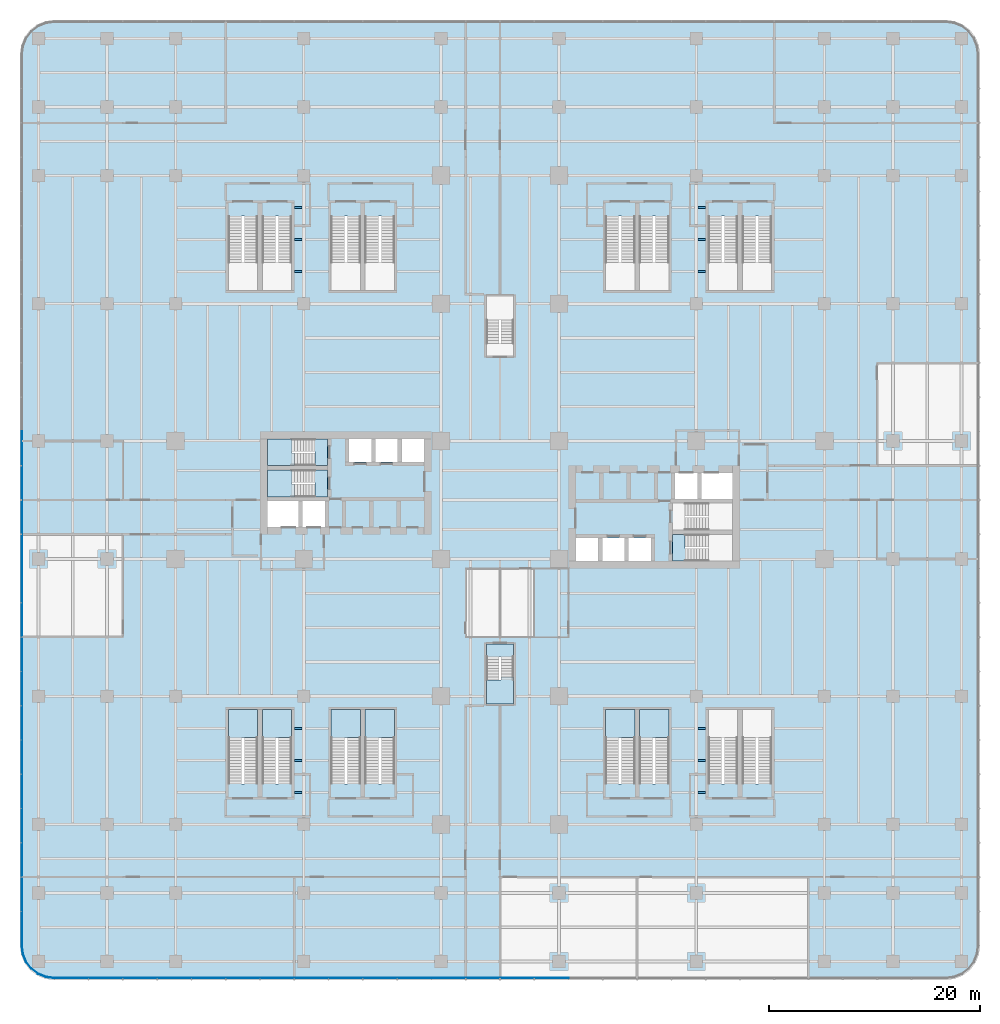
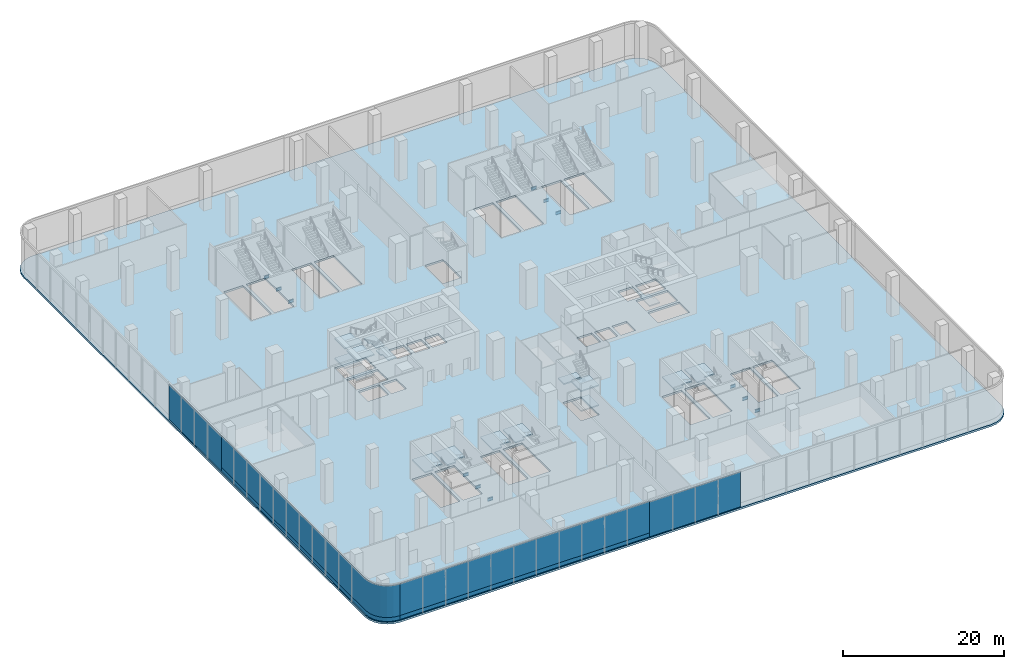
# One storey, part 31 of 41: 17 slabs, 12 beams, 6 plates, 14 elements without a shape of their own.
"""IFC4 building model written with IfcOpenShell, lengths in metres."""

from ifc_helpers import new_model, si_unit, direction, frame, origin, origin_2d, place, context, subcontext, project, spatial, polyline, i_section, outline, extrude, source, transform, mapped, material, layer, layer_set, material_profile, profile_set, type_object, element, aggregate, save


model = new_model("IFC4")

# Units and contexts
model_context = context("Model", 3, precision=1e-05, world=origin(), true_north=direction((0.0, 1.0)))
body_context = subcontext(model_context, "Body", "Model", "MODEL_VIEW")
ifc_project = project(units=[si_unit("LENGTHUNIT", "METRE"), si_unit("AREAUNIT", "SQUARE_METRE"), si_unit("VOLUMEUNIT", "CUBIC_METRE"), si_unit("PLANEANGLEUNIT", "RADIAN"), si_unit("MASSUNIT", "GRAM", prefix="KILO")], contexts=[model_context])

# Site, building, storey
site_placement = place(None, origin())
site = spatial("IfcSite", under=ifc_project, at=site_placement, CompositionType="ELEMENT")
building_placement = place(site_placement, origin())
building = spatial("IfcBuilding", under=site, at=building_placement, Name="Trellis Farm Tower", CompositionType="ELEMENT")
storey_placement = place(building_placement, frame((0.0, 0.0, 8.0)))
storey = spatial("IfcBuildingStorey", under=building, at=storey_placement, Name="L01", CompositionType="ELEMENT", Elevation=8.0)

# Beams
ifc_material_1 = material(Name="Steel S355", Category="steel")
ifc_material_profile = material_profile(ifc_material_1, i_section(OverallWidth=0.1904296875, OverallDepth=0.45703125, WebThickness=0.009033203125, FlangeThickness=0.014404296875, FilletRadius=0.01025390625, at=origin_2d()), Name="UB 457x191x74")
ifc_profile_set = profile_set([ifc_material_profile], Name="Steel S355")
beam_type = type_object("IfcBeamType", Name="UB 457x191x74 joist", PredefinedType="JOIST", material=ifc_profile_set)
shared_shape_1 = source(origin(), body_context, "Body", "SweptSolid", [
    extrude(i_section(OverallWidth=0.1904296875, OverallDepth=0.45703125, WebThickness=0.009033203125, FlangeThickness=0.014404296875, FilletRadius=0.01025390625, at=origin_2d()), origin(), (0.0, 0.0, 1.0), 0.75390625),
])
for number, where, z_axis, x_axis, name in (
    (1, (-19.5, -27.71240234375, -0.528564453125), (1.0, 0.0, 0.0), (0.0, 1.0, 0.0), "Floor beam"),
    (2, (18.74609375, -27.71240234375, -0.528564453125), (1.0, 0.0, 0.0), (0.0, 1.0, 0.0), "Floor beam"),
    (3, (-19.5, -24.675048828125, -0.528564453125), (1.0, 0.0, 0.0), (0.0, 1.0, 0.0), "Floor beam"),
    (4, (18.74609375, -24.675048828125, -0.528564453125), (1.0, 0.0, 0.0), (0.0, 1.0, 0.0), "Floor beam"),
    (5, (-19.5, -21.637451171875, -0.528564453125), (1.0, 0.0, 0.0), (0.0, 1.0, 0.0), "Floor beam"),
    (6, (18.74609375, -21.637451171875, -0.528564453125), (1.0, 0.0, 0.0), (0.0, 1.0, 0.0), "Floor beam"),
    (7, (-19.5, 21.637451171875, -0.528564453125), (1.0, 0.0, 0.0), (0.0, 1.0, 0.0), "Floor beam"),
    (8, (18.74609375, 21.637451171875, -0.528564453125), (1.0, 0.0, 0.0), (0.0, 1.0, 0.0), "Floor beam"),
    (9, (-19.5, 24.675048828125, -0.528564453125), (1.0, 0.0, 0.0), (0.0, 1.0, 0.0), "Floor beam"),
    (10, (18.74609375, 24.675048828125, -0.528564453125), (1.0, 0.0, 0.0), (0.0, 1.0, 0.0), "Floor beam"),
    (11, (-19.5, 27.71240234375, -0.528564453125), (1.0, 0.0, 0.0), (0.0, 1.0, 0.0), "Floor beam"),
    (12, (18.74609375, 27.71240234375, -0.528564453125), (1.0, 0.0, 0.0), (0.0, 1.0, 0.0), "Floor beam"),
):
    element("IfcBeam", number, at=place(storey_placement, frame(where, z_axis=z_axis, x_axis=x_axis)), inside=storey, type_object=beam_type, Name=name, PredefinedType="JOIST", context=body_context, shape_type="MappedRepresentation", body=[
        mapped(shared_shape_1, transform((0.0, 0.0, 0.0))),
    ])

# Stair, slab
ifc_material_2 = material(Name="Concrete C50/60", Category="concrete")
stair_type_1 = type_object("IfcStairType", Name="PODIUM EXIT STAIR 34 RISERS 176 MM 1250 WIDE", PredefinedType="HALF_TURN_STAIR", material=ifc_material_2)
placement_1 = place(storey_placement, origin())
stair_1 = element("IfcStair", 13, at=placement_1, inside=storey, type_object=stair_type_1, Name="Podium exit stair STP5A", PredefinedType="HALF_TURN_STAIR")
ifc_layer_1 = layer(ifc_material_2, 0.18994140625)
ifc_layer_set_1 = layer_set([ifc_layer_1], Name="CORE STAIR LANDING 190 CONCRETE C50/60")
slab_type_1 = type_object("IfcSlabType", Name="CORE STAIR LANDING 190 CONCRETE C50/60", PredefinedType="LANDING", material=ifc_layer_set_1)
placement_2 = place(storey_placement, frame((0.0, 0.0, 2.81005859375)))
slab_1 = element("IfcSlab", 14, at=placement_2, type_object=slab_type_1, Name="STP5A landing 1", PredefinedType="LANDING", context=body_context, shape_type="SweptSolid", body=[
    extrude(outline(polyline([(-24.5, -23.034423828125), (-25.75, -23.034423828125), (-25.75, -22.5), (-25.75, -19.85009765625), (-22.969970703125, -19.85009765625), (-22.969970703125, -22.5), (-22.969970703125, -22.510009765625), (-24.219970703125, -22.510009765625), (-24.219970703125, -22.5), (-24.5, -22.5), (-24.5, -23.034423828125)])), origin(), (0.0, 0.0, 1.0), 0.18994140625),
])
aggregate(stair_1, [slab_1])

stair_2 = element("IfcStair", 15, at=placement_1, inside=storey, type_object=stair_type_1, Name="Podium exit stair STP5B", PredefinedType="HALF_TURN_STAIR")
slab_2 = element("IfcSlab", 16, at=placement_2, type_object=slab_type_1, Name="STP5B landing 1", PredefinedType="LANDING", context=body_context, shape_type="SweptSolid", body=[
    extrude(outline(polyline([(-21.280029296875, -23.034423828125), (-22.530029296875, -23.034423828125), (-22.530029296875, -22.5), (-22.530029296875, -19.85009765625), (-19.75, -19.85009765625), (-19.75, -22.5), (-19.75, -22.510009765625), (-21.0, -22.510009765625), (-21.0, -22.5), (-21.280029296875, -22.5), (-21.280029296875, -23.034423828125)])), origin(), (0.0, 0.0, 1.0), 0.18994140625),
])
aggregate(stair_2, [slab_2])

stair_3 = element("IfcStair", 17, at=placement_1, inside=storey, type_object=stair_type_1, Name="Podium exit stair STP6A", PredefinedType="HALF_TURN_STAIR")
slab_3 = element("IfcSlab", 18, at=placement_2, type_object=slab_type_1, Name="STP6A landing 1", PredefinedType="LANDING", context=body_context, shape_type="SweptSolid", body=[
    extrude(outline(polyline([(-14.75, -23.034423828125), (-16.0, -23.034423828125), (-16.0, -22.5), (-16.0, -19.85009765625), (-13.219970703125, -19.85009765625), (-13.219970703125, -22.5), (-13.219970703125, -22.510009765625), (-14.469970703125, -22.510009765625), (-14.469970703125, -22.5), (-14.75, -22.5), (-14.75, -23.034423828125)])), origin(), (0.0, 0.0, 1.0), 0.18994140625),
])
aggregate(stair_3, [slab_3])

stair_4 = element("IfcStair", 19, at=placement_1, inside=storey, type_object=stair_type_1, Name="Podium exit stair STP6B", PredefinedType="HALF_TURN_STAIR")
slab_4 = element("IfcSlab", 20, at=placement_2, type_object=slab_type_1, Name="STP6B landing 1", PredefinedType="LANDING", context=body_context, shape_type="SweptSolid", body=[
    extrude(outline(polyline([(-11.530029296875, -23.034423828125), (-12.780029296875, -23.034423828125), (-12.780029296875, -22.5), (-12.780029296875, -19.85009765625), (-10.0, -19.85009765625), (-10.0, -22.5), (-10.0, -22.510009765625), (-11.25, -22.510009765625), (-11.25, -22.5), (-11.530029296875, -22.5), (-11.530029296875, -23.034423828125)])), origin(), (0.0, 0.0, 1.0), 0.18994140625),
])
aggregate(stair_4, [slab_4])

stair_5 = element("IfcStair", 21, at=placement_1, inside=storey, type_object=stair_type_1, Name="Podium exit stair STP7A", PredefinedType="HALF_TURN_STAIR")
slab_5 = element("IfcSlab", 22, at=placement_2, type_object=slab_type_1, Name="STP7A landing 1", PredefinedType="LANDING", context=body_context, shape_type="SweptSolid", body=[
    extrude(outline(polyline([(11.25, -23.034423828125), (10.0, -23.034423828125), (10.0, -22.5), (10.0, -19.85009765625), (12.780029296875, -19.85009765625), (12.780029296875, -22.5), (12.780029296875, -22.510009765625), (11.530029296875, -22.510009765625), (11.530029296875, -22.5), (11.25, -22.5), (11.25, -23.034423828125)])), origin(), (0.0, 0.0, 1.0), 0.18994140625),
])
aggregate(stair_5, [slab_5])

stair_6 = element("IfcStair", 23, at=placement_1, inside=storey, type_object=stair_type_1, Name="Podium exit stair STP7B", PredefinedType="HALF_TURN_STAIR")
slab_6 = element("IfcSlab", 24, at=placement_2, type_object=slab_type_1, Name="STP7B landing 1", PredefinedType="LANDING", context=body_context, shape_type="SweptSolid", body=[
    extrude(outline(polyline([(14.469970703125, -23.034423828125), (13.219970703125, -23.034423828125), (13.219970703125, -22.5), (13.219970703125, -19.85009765625), (16.0, -19.85009765625), (16.0, -22.5), (16.0, -22.510009765625), (14.75, -22.510009765625), (14.75, -22.5), (14.469970703125, -22.5), (14.469970703125, -23.034423828125)])), origin(), (0.0, 0.0, 1.0), 0.18994140625),
])
aggregate(stair_6, [slab_6])

# Curtain wall, plate
ifc_material_3 = material(Name="Aluminium and glass curtain wall", Category="aluminium")
ifc_layer_2 = layer(ifc_material_3, 0.201904296875)
ifc_layer_set_2 = layer_set([ifc_layer_2], Name="SHOPFRONT CURTAIN WALL CW2")
curtain_wall_type_1 = type_object("IfcCurtainWallType", Name="SHOPFRONT CURTAIN WALL CW2", PredefinedType="NOTDEFINED", material=ifc_layer_set_2)
curtain_wall_1 = element("IfcCurtainWall", 25, at=placement_1, inside=storey, type_object=curtain_wall_type_1, Name="CW2 006", PredefinedType="NOTDEFINED")
ifc_material_4 = material(Name="Clear insulated glass", Category="glass")
ifc_layer_3 = layer(ifc_material_4, 0.052001953125)
ifc_layer_set_3 = layer_set([ifc_layer_3], Name="CW2 GLASS PANEL 52")
plate_type_1 = type_object("IfcPlateType", Name="CW2 GLASS PANEL 52", PredefinedType="CURTAIN_PANEL", material=ifc_layer_set_3)
placement_3 = place(storey_placement, frame((0.0, 0.0, 0.60009765625)))
plate_1 = element("IfcPlate", 26, at=placement_3, type_object=plate_type_1, Name="PL2 006", PredefinedType="CURTAIN_PANEL", context=body_context, shape_type="SweptSolid", body=[
    extrude(outline(polyline([(-45.35009765625, -6.5), (-45.35009765625, -42.240234375), (-45.2431640625, -43.052001953125), (-44.93359375, -43.79931640625), (-44.441162109375, -44.441162109375), (-43.79931640625, -44.93359375), (-43.052001953125, -45.2431640625), (-42.240234375, -45.35009765625), (-42.23681640625, -45.298095703125), (-43.038330078125, -45.1923828125), (-43.773193359375, -44.88818359375), (-44.404052734375, -44.404052734375), (-44.88818359375, -43.773193359375), (-45.1923828125, -43.038330078125), (-45.298095703125, -42.23681640625), (-45.298095703125, -6.5), (-45.35009765625, -6.5)])), origin(), (0.0, 0.0, 1.0), 4.7998046875),
])

curtain_wall_2 = element("IfcCurtainWall", 27, at=placement_1, inside=storey, type_object=curtain_wall_type_1, Name="CW2 007", PredefinedType="NOTDEFINED")
plate_2 = element("IfcPlate", 28, at=placement_3, type_object=plate_type_1, Name="PL2 007", PredefinedType="CURTAIN_PANEL", context=body_context, shape_type="SweptSolid", body=[
    extrude(outline(polyline([(-42.240234375, -45.35009765625), (-6.5, -45.35009765625), (-6.5, -45.298095703125), (-42.23681640625, -45.298095703125), (-42.240234375, -45.35009765625)])), origin(), (0.0, 0.0, 1.0), 4.7998046875),
])

# Plate
ifc_material_5 = material(Name="Sandstone faced insulated panel", Category="masonry")
ifc_layer_4 = layer(ifc_material_5, 0.054931640625)
ifc_layer_set_4 = layer_set([ifc_layer_4], Name="CW2 STONE SPANDREL PANEL 55")
plate_type_2 = type_object("IfcPlateType", Name="CW2 STONE SPANDREL PANEL 55", PredefinedType="CURTAIN_PANEL", material=ifc_layer_set_4)
plate_3 = element("IfcPlate", 29, at=placement_1, type_object=plate_type_2, Name="PS2 006", PredefinedType="CURTAIN_PANEL", context=body_context, shape_type="SweptSolid", body=[
    extrude(outline(polyline([(-45.35009765625, -6.5), (-45.35009765625, -42.240234375), (-45.2431640625, -43.052001953125), (-44.93359375, -43.79931640625), (-44.441162109375, -44.441162109375), (-43.79931640625, -44.93359375), (-43.052001953125, -45.2431640625), (-42.240234375, -45.35009765625), (-42.236572265625, -45.294921875), (-43.03759765625, -45.189453125), (-43.771728515625, -44.885498046875), (-44.40185546875, -44.40185546875), (-44.885498046875, -43.771728515625), (-45.189453125, -43.03759765625), (-45.294921875, -42.236572265625), (-45.294921875, -6.5), (-45.35009765625, -6.5)])), origin(), (0.0, 0.0, 1.0), 0.60009765625),
])

aggregate(curtain_wall_1, [plate_1, plate_3])

plate_4 = element("IfcPlate", 30, at=placement_1, type_object=plate_type_2, Name="PS2 007", PredefinedType="CURTAIN_PANEL", context=body_context, shape_type="SweptSolid", body=[
    extrude(outline(polyline([(-42.240234375, -45.35009765625), (-6.5, -45.35009765625), (-6.5, -45.294921875), (-42.236572265625, -45.294921875), (-42.240234375, -45.35009765625)])), origin(), (0.0, 0.0, 1.0), 0.60009765625),
])

aggregate(curtain_wall_2, [plate_2, plate_4])

# Curtain wall, plate
ifc_layer_5 = layer(ifc_material_3, 0.2099609375)
ifc_layer_set_5 = layer_set([ifc_layer_5], Name="LOBBY CURTAIN WALL CW4")
curtain_wall_type_2 = type_object("IfcCurtainWallType", Name="LOBBY CURTAIN WALL CW4", PredefinedType="NOTDEFINED", material=ifc_layer_set_5)
curtain_wall_3 = element("IfcCurtainWall", 31, at=placement_1, inside=storey, type_object=curtain_wall_type_2, Name="CW4 003", PredefinedType="NOTDEFINED")
ifc_layer_6 = layer(ifc_material_4, 0.06005859375)
ifc_layer_set_6 = layer_set([ifc_layer_6], Name="CW4 GLASS PANEL 60")
plate_type_3 = type_object("IfcPlateType", Name="CW4 GLASS PANEL 60", PredefinedType="CURTAIN_PANEL", material=ifc_layer_set_6)
plate_5 = element("IfcPlate", 32, at=placement_1, type_object=plate_type_3, Name="PL4 003", PredefinedType="CURTAIN_PANEL", context=body_context, shape_type="SweptSolid", body=[
    extrude(outline(polyline([(-45.35009765625, 6.5), (-45.35009765625, -6.5), (-45.2900390625, -6.5), (-45.2900390625, 6.5), (-45.35009765625, 6.5)])), origin(), (0.0, 0.0, 1.0), 5.300048828125),
])
aggregate(curtain_wall_3, [plate_5])

curtain_wall_4 = element("IfcCurtainWall", 33, at=placement_1, inside=storey, type_object=curtain_wall_type_2, Name="CW4 004", PredefinedType="NOTDEFINED")
plate_6 = element("IfcPlate", 34, at=placement_1, type_object=plate_type_3, Name="PL4 004", PredefinedType="CURTAIN_PANEL", context=body_context, shape_type="SweptSolid", body=[
    extrude(outline(polyline([(-6.5, -45.35009765625), (6.5, -45.35009765625), (6.5, -45.2900390625), (-6.5, -45.2900390625), (-6.5, -45.35009765625)])), origin(), (0.0, 0.0, 1.0), 5.300048828125),
])
aggregate(curtain_wall_4, [plate_6])

# Slab
ifc_material_6 = material(Name="Concrete C40/50", Category="concrete")
ifc_layer_7 = layer(ifc_material_6, 0.300048828125)
ifc_layer_set_7 = layer_set([ifc_layer_7], Name="Composite deck floor slab 300")
slab_type_2 = type_object("IfcSlabType", Name="Composite deck floor slab 300", PredefinedType="FLOOR", material=ifc_layer_set_7)
slab_7_placement = place(storey_placement, frame((0.0, 0.0, -0.300048828125)))
element("IfcSlab", 35, at=slab_7_placement, inside=storey, type_object=slab_type_2, Name="Floor slab", PredefinedType="FLOOR", context=body_context, shape_type="SweptSolid", body=[
    extrude(outline(polyline([(45.389404296875, -43.09130859375), (45.064697265625, -43.875), (44.548095703125, -44.548095703125), (43.875, -45.064697265625), (43.09130859375, -45.389404296875), (42.25, -45.5), (-42.25, -45.5), (-43.09130859375, -45.389404296875), (-43.875, -45.064697265625), (-44.548095703125, -44.548095703125), (-45.064697265625, -43.875), (-45.389404296875, -43.09130859375), (-45.5, -42.25), (-45.5, 42.25), (-45.389404296875, 43.09130859375), (-45.064697265625, 43.875), (-44.548095703125, 44.548095703125), (-43.875, 45.064697265625), (-43.09130859375, 45.389404296875), (-42.25, 45.5), (42.25, 45.5), (43.09130859375, 45.389404296875), (43.875, 45.064697265625), (44.548095703125, 44.548095703125), (45.064697265625, 43.875), (45.389404296875, 43.09130859375), (45.5, 42.25), (45.5, -42.25), (45.389404296875, -43.09130859375)]), holes=[polyline([(-24.219970703125, -26.89990234375), (-24.219970703125, -26.887939453125), (-22.969970703125, -26.887939453125), (-22.969970703125, -19.85009765625), (-25.75, -19.85009765625), (-25.75, -26.889892578125), (-24.5, -26.889892578125), (-24.5, -26.89990234375), (-24.219970703125, -26.89990234375)]), polyline([(-21.0, -26.89990234375), (-21.0, -26.887939453125), (-19.75, -26.887939453125), (-19.75, -19.85009765625), (-22.530029296875, -19.85009765625), (-22.530029296875, -26.889892578125), (-21.280029296875, -26.889892578125), (-21.280029296875, -26.89990234375), (-21.0, -26.89990234375)]), polyline([(-14.469970703125, -26.89990234375), (-14.469970703125, -26.887939453125), (-13.219970703125, -26.887939453125), (-13.219970703125, -19.85009765625), (-16.0, -19.85009765625), (-16.0, -26.889892578125), (-14.75, -26.889892578125), (-14.75, -26.89990234375), (-14.469970703125, -26.89990234375)]), polyline([(-11.25, -26.89990234375), (-11.25, -26.887939453125), (-10.0, -26.887939453125), (-10.0, -19.85009765625), (-12.780029296875, -19.85009765625), (-12.780029296875, -26.889892578125), (-11.530029296875, -26.889892578125), (-11.530029296875, -26.89990234375), (-11.25, -26.89990234375)]), polyline([(-0.10009765625, -14.85009765625), (-0.10009765625, -14.862060546875), (-1.300048828125, -14.862060546875), (-1.300048828125, -19.35009765625), (1.300048828125, -19.35009765625), (1.300048828125, -14.860107421875), (0.10009765625, -14.860107421875), (0.10009765625, -14.85009765625), (-0.10009765625, -14.85009765625)]), polyline([(-19.10009765625, -0.10009765625), (-22.050048828125, -0.10009765625), (-22.050048828125, -2.550048828125), (-19.10009765625, -2.550048828125), (-19.10009765625, -0.10009765625)]), polyline([(-16.60009765625, -0.10009765625), (-18.699951171875, -0.10009765625), (-18.699951171875, -2.550048828125), (-16.60009765625, -2.550048828125), (-16.60009765625, -0.10009765625)]), polyline([(-17.550048828125, 1.64990234375), (-17.56201171875, 1.64990234375), (-17.56201171875, 2.85009765625), (-22.050048828125, 2.85009765625), (-22.050048828125, 0.300048828125), (-17.56005859375, 0.300048828125), (-17.56005859375, 1.5), (-17.550048828125, 1.5), (-17.550048828125, 1.64990234375)]), polyline([(-17.550048828125, 4.60009765625), (-17.56201171875, 4.60009765625), (-17.56201171875, 5.800048828125), (-22.050048828125, 5.800048828125), (-22.050048828125, 3.25), (-17.56005859375, 3.25), (-17.56005859375, 4.449951171875), (-17.550048828125, 4.449951171875), (-17.550048828125, 4.60009765625)]), polyline([(-12.199951171875, 5.800048828125), (-14.300048828125, 5.800048828125), (-14.300048828125, 3.60009765625), (-12.199951171875, 3.60009765625), (-12.199951171875, 5.800048828125)]), polyline([(-9.699951171875, 5.800048828125), (-11.800048828125, 5.800048828125), (-11.800048828125, 3.60009765625), (-9.699951171875, 3.60009765625), (-9.699951171875, 5.800048828125)]), polyline([(-7.199951171875, 5.800048828125), (-9.300048828125, 5.800048828125), (-9.300048828125, 3.60009765625), (-7.199951171875, 3.60009765625), (-7.199951171875, 5.800048828125)]), polyline([(-24.5, 26.89990234375), (-24.5, 26.887939453125), (-25.75, 26.887939453125), (-25.75, 19.85009765625), (-22.969970703125, 19.85009765625), (-22.969970703125, 26.889892578125), (-24.219970703125, 26.889892578125), (-24.219970703125, 26.89990234375), (-24.5, 26.89990234375)]), polyline([(-21.280029296875, 26.89990234375), (-21.280029296875, 26.887939453125), (-22.530029296875, 26.887939453125), (-22.530029296875, 19.85009765625), (-19.75, 19.85009765625), (-19.75, 26.889892578125), (-21.0, 26.889892578125), (-21.0, 26.89990234375), (-21.280029296875, 26.89990234375)]), polyline([(-14.75, 26.89990234375), (-14.75, 26.887939453125), (-16.0, 26.887939453125), (-16.0, 19.85009765625), (-13.219970703125, 19.85009765625), (-13.219970703125, 26.889892578125), (-14.469970703125, 26.889892578125), (-14.469970703125, 26.89990234375), (-14.75, 26.89990234375)]), polyline([(-11.530029296875, 26.89990234375), (-11.530029296875, 26.887939453125), (-12.780029296875, 26.887939453125), (-12.780029296875, 19.85009765625), (-10.0, 19.85009765625), (-10.0, 26.889892578125), (-11.25, 26.889892578125), (-11.25, 26.89990234375), (-11.530029296875, 26.89990234375)]), polyline([(11.530029296875, -26.89990234375), (11.530029296875, -26.887939453125), (12.780029296875, -26.887939453125), (12.780029296875, -19.85009765625), (10.0, -19.85009765625), (10.0, -26.889892578125), (11.25, -26.889892578125), (11.25, -26.89990234375), (11.530029296875, -26.89990234375)]), polyline([(14.75, -26.89990234375), (14.75, -26.887939453125), (16.0, -26.887939453125), (16.0, -19.85009765625), (13.219970703125, -19.85009765625), (13.219970703125, -26.889892578125), (14.469970703125, -26.889892578125), (14.469970703125, -26.89990234375), (14.75, -26.89990234375)]), polyline([(21.280029296875, -26.89990234375), (21.280029296875, -26.887939453125), (22.530029296875, -26.887939453125), (22.530029296875, -19.85009765625), (19.75, -19.85009765625), (19.75, -26.889892578125), (21.0, -26.889892578125), (21.0, -26.89990234375), (21.280029296875, -26.89990234375)]), polyline([(24.5, -26.89990234375), (24.5, -26.887939453125), (25.75, -26.887939453125), (25.75, -19.85009765625), (22.969970703125, -19.85009765625), (22.969970703125, -26.889892578125), (24.219970703125, -26.889892578125), (24.219970703125, -26.89990234375), (24.5, -26.89990234375)]), polyline([(7.199951171875, -5.800048828125), (9.300048828125, -5.800048828125), (9.300048828125, -3.60009765625), (7.199951171875, -3.60009765625), (7.199951171875, -5.800048828125)]), polyline([(9.699951171875, -5.800048828125), (11.800048828125, -5.800048828125), (11.800048828125, -3.60009765625), (9.699951171875, -3.60009765625), (9.699951171875, -5.800048828125)]), polyline([(12.199951171875, -5.800048828125), (14.300048828125, -5.800048828125), (14.300048828125, -3.60009765625), (12.199951171875, -3.60009765625), (12.199951171875, -5.800048828125)]), polyline([(17.550048828125, -4.60009765625), (17.56201171875, -4.60009765625), (17.56201171875, -5.800048828125), (22.050048828125, -5.800048828125), (22.050048828125, -3.25), (17.56005859375, -3.25), (17.56005859375, -4.449951171875), (17.550048828125, -4.449951171875), (17.550048828125, -4.60009765625)]), polyline([(17.550048828125, -1.64990234375), (17.56201171875, -1.64990234375), (17.56201171875, -2.85009765625), (22.050048828125, -2.85009765625), (22.050048828125, -0.300048828125), (17.56005859375, -0.300048828125), (17.56005859375, -1.5), (17.550048828125, -1.5), (17.550048828125, -1.64990234375)]), polyline([(16.60009765625, 0.10009765625), (18.699951171875, 0.10009765625), (18.699951171875, 2.550048828125), (16.60009765625, 2.550048828125), (16.60009765625, 0.10009765625)]), polyline([(19.10009765625, 0.10009765625), (22.050048828125, 0.10009765625), (22.050048828125, 2.550048828125), (19.10009765625, 2.550048828125), (19.10009765625, 0.10009765625)]), polyline([(0.10009765625, 14.85009765625), (0.10009765625, 14.862060546875), (1.300048828125, 14.862060546875), (1.300048828125, 19.35009765625), (-1.300048828125, 19.35009765625), (-1.300048828125, 14.860107421875), (-0.10009765625, 14.860107421875), (-0.10009765625, 14.85009765625), (0.10009765625, 14.85009765625)]), polyline([(11.25, 26.89990234375), (11.25, 26.887939453125), (10.0, 26.887939453125), (10.0, 19.85009765625), (12.780029296875, 19.85009765625), (12.780029296875, 26.889892578125), (11.530029296875, 26.889892578125), (11.530029296875, 26.89990234375), (11.25, 26.89990234375)]), polyline([(14.469970703125, 26.89990234375), (14.469970703125, 26.887939453125), (13.219970703125, 26.887939453125), (13.219970703125, 19.85009765625), (16.0, 19.85009765625), (16.0, 26.889892578125), (14.75, 26.889892578125), (14.75, 26.89990234375), (14.469970703125, 26.89990234375)]), polyline([(21.0, 26.89990234375), (21.0, 26.887939453125), (19.75, 26.887939453125), (19.75, 19.85009765625), (22.530029296875, 19.85009765625), (22.530029296875, 26.889892578125), (21.280029296875, 26.889892578125), (21.280029296875, 26.89990234375), (21.0, 26.89990234375)]), polyline([(24.219970703125, 26.89990234375), (24.219970703125, 26.887939453125), (22.969970703125, 26.887939453125), (22.969970703125, 19.85009765625), (25.75, 19.85009765625), (25.75, 26.889892578125), (24.5, 26.889892578125), (24.5, 26.89990234375), (24.219970703125, 26.89990234375)])]), origin(), (0.0, 0.0, 1.0), 0.300048828125),
])

# Stair, slabs
stair_type_2 = type_object("IfcStairType", Name="CORE EXIT STAIR 36 RISERS 167 MM", PredefinedType="HALF_TURN_STAIR", material=ifc_material_2)
stair_7 = element("IfcStair", 36, at=placement_1, inside=storey, type_object=stair_type_2, Name="Exit stair S", PredefinedType="HALF_TURN_STAIR")
ifc_layer_8 = layer(ifc_material_2, 0.179931640625)
ifc_layer_set_8 = layer_set([ifc_layer_8], Name="CORE STAIR LANDING 180 CONCRETE C50/60")
slab_type_3 = type_object("IfcSlabType", Name="CORE STAIR LANDING 180 CONCRETE C50/60", PredefinedType="LANDING", material=ifc_layer_set_8)
shared_shape_2 = source(origin(), body_context, "Body", "SweptSolid", [
    extrude(outline(polyline([(1.300048828125, -19.35009765625), (-1.300048828125, -19.35009765625), (-1.300048828125, -17.050048828125), (-1.300048828125, -17.0400390625), (-0.10009765625, -17.0400390625), (-0.10009765625, -17.050048828125), (0.10009765625, -17.050048828125), (0.10009765625, -16.79052734375), (1.300048828125, -16.79052734375), (1.300048828125, -17.050048828125), (1.300048828125, -19.35009765625)])), origin(), (0.0, 0.0, 1.0), 0.179931640625),
])
placement_4 = place(storey_placement, frame((0.0, 0.0, 1.320068359375)))
slab_8 = element("IfcSlab", 37, at=placement_4, type_object=slab_type_3, Name="STS landing 1", PredefinedType="LANDING", context=body_context, shape_type="MappedRepresentation", body=[
    mapped(shared_shape_2, transform((0.0, 0.0, 0.0))),
])
placement_5 = place(storey_placement, frame((0.0, 0.0, 4.320068359375)))
slab_9 = element("IfcSlab", 38, at=placement_5, type_object=slab_type_3, Name="STS landing 3", PredefinedType="LANDING", context=body_context, shape_type="MappedRepresentation", body=[
    mapped(shared_shape_2, transform((0.0, 0.0, 0.0))),
])
shared_shape_3 = source(origin(), body_context, "Body", "SweptSolid", [
    extrude(outline(polyline([(-0.10009765625, -15.109375), (-1.300048828125, -15.109375), (-1.300048828125, -14.85009765625), (-1.300048828125, -13.64990234375), (1.300048828125, -13.64990234375), (1.300048828125, -14.85009765625), (1.300048828125, -14.860107421875), (0.10009765625, -14.860107421875), (0.10009765625, -14.85009765625), (-0.10009765625, -14.85009765625), (-0.10009765625, -15.109375)])), origin(), (0.0, 0.0, 1.0), 0.179931640625),
])
placement_6 = place(storey_placement, frame((0.0, 0.0, 2.820068359375)))
slab_10 = element("IfcSlab", 39, at=placement_6, type_object=slab_type_3, Name="STS landing 2", PredefinedType="LANDING", context=body_context, shape_type="MappedRepresentation", body=[
    mapped(shared_shape_3, transform((0.0, 0.0, 0.0))),
])
aggregate(stair_7, [slab_8, slab_10, slab_9])

# Stair, slab
stair_8 = element("IfcStair", 40, at=placement_1, inside=storey, type_object=stair_type_2, Name="Exit stair E1", PredefinedType="HALF_TURN_STAIR")
shared_shape_4 = source(origin(), body_context, "Body", "SweptSolid", [
    extrude(outline(polyline([(17.809326171875, -4.60009765625), (17.809326171875, -5.800048828125), (17.550048828125, -5.800048828125), (16.35009765625, -5.800048828125), (16.35009765625, -3.25), (17.550048828125, -3.25), (17.56005859375, -3.25), (17.56005859375, -4.449951171875), (17.550048828125, -4.449951171875), (17.550048828125, -4.60009765625), (17.809326171875, -4.60009765625)])), origin(), (0.0, 0.0, 1.0), 0.179931640625),
])
slab_11 = element("IfcSlab", 41, at=placement_6, type_object=slab_type_3, Name="STE1 landing 2", PredefinedType="LANDING", context=body_context, shape_type="MappedRepresentation", body=[
    mapped(shared_shape_4, transform((0.0, 0.0, 0.0))),
])
aggregate(stair_8, [slab_11])

# Stair, slabs
stair_9 = element("IfcStair", 42, at=placement_1, inside=storey, type_object=stair_type_2, Name="Exit stair W1", PredefinedType="HALF_TURN_STAIR")
shared_shape_5 = source(origin(), body_context, "Body", "SweptSolid", [
    extrude(outline(polyline([(-19.49072265625, 4.449951171875), (-19.49072265625, 3.25), (-19.75, 3.25), (-22.050048828125, 3.25), (-22.050048828125, 5.800048828125), (-19.75, 5.800048828125), (-19.739990234375, 5.800048828125), (-19.739990234375, 4.60009765625), (-19.75, 4.60009765625), (-19.75, 4.449951171875), (-19.49072265625, 4.449951171875)])), origin(), (0.0, 0.0, 1.0), 0.179931640625),
])
slab_12 = element("IfcSlab", 43, at=placement_4, type_object=slab_type_3, Name="STW1 landing 1", PredefinedType="LANDING", context=body_context, shape_type="MappedRepresentation", body=[
    mapped(shared_shape_5, transform((0.0, 0.0, 0.0))),
])
slab_13 = element("IfcSlab", 44, at=placement_5, type_object=slab_type_3, Name="STW1 landing 3", PredefinedType="LANDING", context=body_context, shape_type="MappedRepresentation", body=[
    mapped(shared_shape_5, transform((0.0, 0.0, 0.0))),
])
shared_shape_6 = source(origin(), body_context, "Body", "SweptSolid", [
    extrude(outline(polyline([(-17.56005859375, 3.25), (-17.56005859375, 4.449951171875), (-17.550048828125, 4.449951171875), (-17.550048828125, 4.60009765625), (-17.809326171875, 4.60009765625), (-17.809326171875, 5.800048828125), (-17.550048828125, 5.800048828125), (-16.35009765625, 5.800048828125), (-16.35009765625, 3.25), (-17.550048828125, 3.25), (-17.56005859375, 3.25)])), origin(), (0.0, 0.0, 1.0), 0.179931640625),
])
slab_14 = element("IfcSlab", 45, at=placement_6, type_object=slab_type_3, Name="STW1 landing 2", PredefinedType="LANDING", context=body_context, shape_type="MappedRepresentation", body=[
    mapped(shared_shape_6, transform((0.0, 0.0, 0.0))),
])
aggregate(stair_9, [slab_12, slab_14, slab_13])

stair_10 = element("IfcStair", 46, at=placement_1, inside=storey, type_object=stair_type_2, Name="Exit stair W2", PredefinedType="HALF_TURN_STAIR")
shared_shape_7 = source(origin(), body_context, "Body", "SweptSolid", [
    extrude(outline(polyline([(-19.49072265625, 1.5), (-19.49072265625, 0.300048828125), (-19.75, 0.300048828125), (-22.050048828125, 0.300048828125), (-22.050048828125, 2.85009765625), (-19.75, 2.85009765625), (-19.739990234375, 2.85009765625), (-19.739990234375, 1.64990234375), (-19.75, 1.64990234375), (-19.75, 1.5), (-19.49072265625, 1.5)])), origin(), (0.0, 0.0, 1.0), 0.179931640625),
])
slab_15 = element("IfcSlab", 47, at=placement_4, type_object=slab_type_3, Name="STW2 landing 1", PredefinedType="LANDING", context=body_context, shape_type="MappedRepresentation", body=[
    mapped(shared_shape_7, transform((0.0, 0.0, 0.0))),
])
slab_16 = element("IfcSlab", 48, at=placement_5, type_object=slab_type_3, Name="STW2 landing 3", PredefinedType="LANDING", context=body_context, shape_type="MappedRepresentation", body=[
    mapped(shared_shape_7, transform((0.0, 0.0, 0.0))),
])
shared_shape_8 = source(origin(), body_context, "Body", "SweptSolid", [
    extrude(outline(polyline([(-17.56005859375, 0.300048828125), (-17.56005859375, 1.5), (-17.550048828125, 1.5), (-17.550048828125, 1.64990234375), (-17.809326171875, 1.64990234375), (-17.809326171875, 2.85009765625), (-17.550048828125, 2.85009765625), (-16.35009765625, 2.85009765625), (-16.35009765625, 0.300048828125), (-17.550048828125, 0.300048828125), (-17.56005859375, 0.300048828125)])), origin(), (0.0, 0.0, 1.0), 0.179931640625),
])
slab_17 = element("IfcSlab", 49, at=placement_6, type_object=slab_type_3, Name="STW2 landing 2", PredefinedType="LANDING", context=body_context, shape_type="MappedRepresentation", body=[
    mapped(shared_shape_8, transform((0.0, 0.0, 0.0))),
])
aggregate(stair_10, [slab_15, slab_17, slab_16])

save(model, "model.ifc")
